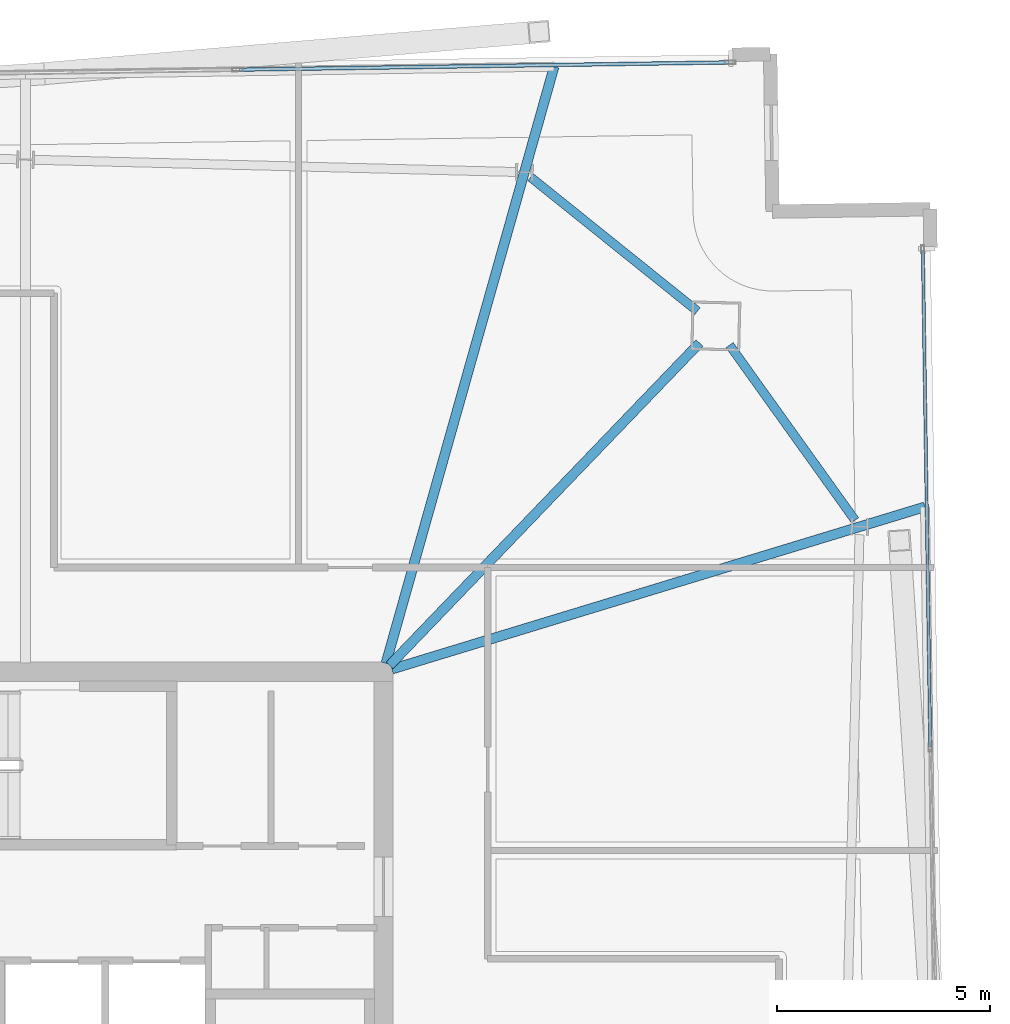
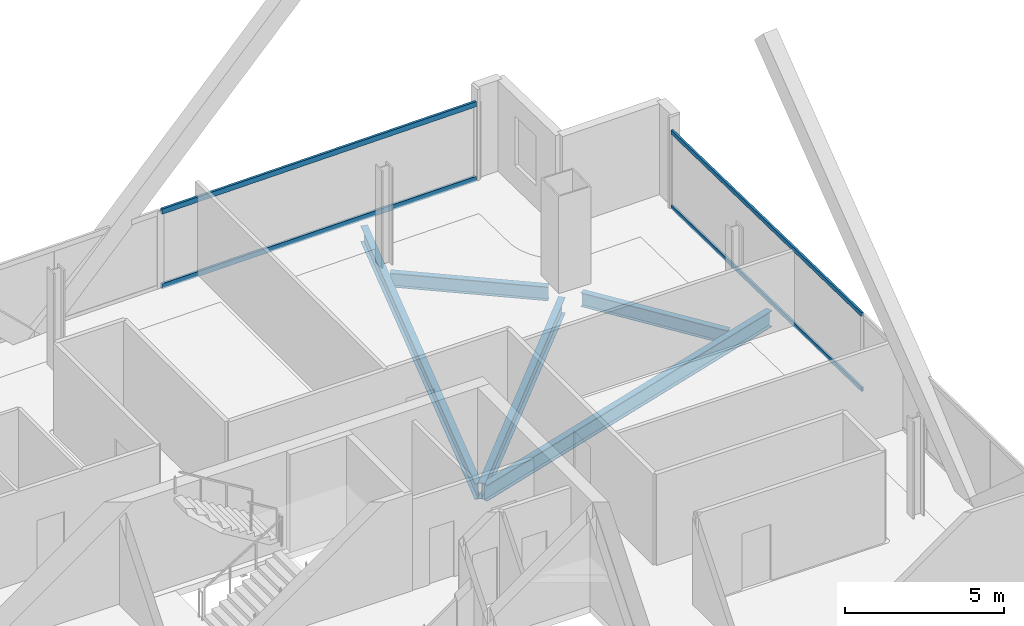
# One storey, part 17 of 25: 5 beams, 4 members, 2 elements without a shape of their own.
"""IFC4 building model written with IfcOpenShell, lengths in metres."""

import ifcopenshell
import ifcopenshell.guid

model = None  # the IFC model being written
_history = None  # IfcOwnerHistory: only IFC2X3 demands one
_inside = {}  # id of a spatial element -> (the spatial element, [elements in it])
_under = {}  # id of a project, library or spatial element -> (it, [spatial elements below it])
_declared = {}  # id of a project -> (the project, [libraries it declares])
_typed = {}  # id of a type object -> (the type object, [elements of that type])
_made_of = {}  # id of a material, layer set ... -> (it, [elements and type objects made of it])


def new_model(schema):
    """Start an empty IFC model of exactly this schema.

    Asked for "IFC4X3", IfcOpenShell would pick the latest addendum, in which some entities
    have other attributes; the version numbers below select the first issue.
    IFC2X3 requires an IfcOwnerHistory on every rooted entity: one is made here for all.
    """
    global model, _history
    if schema == "IFC4X3":
        model = ifcopenshell.file(schema_version=(4, 3, 0, 0))
    else:
        model = ifcopenshell.file(schema=schema)
    _inside.clear()
    _under.clear()
    _declared.clear()
    _typed.clear()
    _made_of.clear()
    _history = None
    if model.schema == "IFC2X3":
        org = make("IfcOrganization", Name="unknown")
        user = make(
            "IfcPersonAndOrganization",
            ThePerson=make("IfcPerson", FamilyName="unknown"),
            TheOrganization=org,
        )
        app = make(
            "IfcApplication",
            ApplicationDeveloper=org,
            Version="unknown",
            ApplicationFullName="unknown",
            ApplicationIdentifier="unknown",
        )
        _history = make(
            "IfcOwnerHistory",
            OwningUser=user,
            OwningApplication=app,
            ChangeAction="ADDED",
            CreationDate=0,
        )
    return model


def make(cls, **values):
    """One entity of the class cls with the attributes given. An attribute that is None is left unset."""
    return model.create_entity(
        cls, **{name: value for name, value in values.items() if value is not None}
    )


def rooted(cls, **values):
    """An entity with a GlobalId (a new one), such as an element, a storey or a relation."""
    return make(cls, GlobalId=ifcopenshell.guid.new(), OwnerHistory=_history, **values)


def si_unit(unit_type, name, prefix=None):
    """IfcSIUnit, for example si_unit("LENGTHUNIT", "METRE", prefix="MILLI")."""
    return make("IfcSIUnit", UnitType=unit_type, Prefix=prefix, Name=name)


def assignment(units):
    """IfcUnitAssignment: the units of a project."""
    return None if units is None else make("IfcUnitAssignment", Units=units)


def point(xyz):
    """IfcCartesianPoint."""
    return None if xyz is None else make("IfcCartesianPoint", Coordinates=xyz)


def direction(xyz):
    """IfcDirection."""
    return None if xyz is None else make("IfcDirection", DirectionRatios=xyz)


def frame(location, z_axis=None, x_axis=None):
    """IfcAxis2Placement3D, a coordinate frame: its origin and axes. An axis left out is left unset."""
    return make(
        "IfcAxis2Placement3D",
        Location=point(location),
        Axis=direction(z_axis),
        RefDirection=direction(x_axis),
    )


def frame_2d(location, x_axis=None):
    """IfcAxis2Placement2D, a coordinate frame in the plane: its origin and x axis."""
    return make(
        "IfcAxis2Placement2D", Location=point(location), RefDirection=direction(x_axis)
    )


def origin():
    """The frame at (0, 0, 0) with its axes left unset."""
    return frame((0.0, 0.0, 0.0))


def origin_2d():
    """The frame at (0, 0) in the plane with its x axis left unset."""
    return frame_2d((0.0, 0.0))


def place(relative_to, where):
    """IfcLocalPlacement: puts the frame where relative to a parent placement (None: the world)."""
    return make(
        "IfcLocalPlacement", PlacementRelTo=relative_to, RelativePlacement=where
    )


def context(
    kind, dimensions, precision=None, world=None, true_north=None, identifier=None
):
    """IfcGeometricRepresentationContext, for example the 3D "Model" context."""
    return make(
        "IfcGeometricRepresentationContext",
        ContextIdentifier=identifier,
        ContextType=kind,
        CoordinateSpaceDimension=dimensions,
        Precision=precision,
        WorldCoordinateSystem=world,
        TrueNorth=true_north,
    )


def subcontext(parent, identifier, kind, view, scale=None):
    """IfcGeometricRepresentationSubContext, for example "Body" below "Model"."""
    return make(
        "IfcGeometricRepresentationSubContext",
        ContextIdentifier=identifier,
        ContextType=kind,
        ParentContext=parent,
        TargetScale=scale,
        TargetView=view,
    )


def project(units=None, contexts=None):
    """IfcProject with its units and contexts."""
    return rooted(
        "IfcProject",
        Name="project",
        RepresentationContexts=contexts,
        UnitsInContext=assignment(units),
    )


def spatial(cls, under=None, at=None, **own):
    """A site, building, storey or space (cls), placed at a placement, below another one or the project."""
    s = rooted(cls, ObjectPlacement=at, **own)
    if under is not None:
        _under.setdefault(under.id(), (under, []))[1].append(s)
    return s


def profile(cls, at=None, kind="AREA", **sizes):
    """A parametric profile (cls). Its sizes go by their IFC names, for example OverallWidth=200.0."""
    return make(cls, ProfileType=kind, Position=at, **sizes)


def hollow_rectangle(**sizes):
    """IfcRectangleHollowProfileDef."""
    return profile("IfcRectangleHollowProfileDef", **sizes)


def i_section(**sizes):
    """IfcIShapeProfileDef."""
    return profile("IfcIShapeProfileDef", **sizes)


def extrude(swept, where, along, depth):
    """IfcExtrudedAreaSolid: the profile swept, set in the frame where, extruded along a direction by depth."""
    return make(
        "IfcExtrudedAreaSolid",
        SweptArea=swept,
        Position=where,
        ExtrudedDirection=direction(along),
        Depth=depth,
    )


def shape(context_of_items, identifier, shape_type, items):
    """IfcShapeRepresentation: the items that make up one representation, for example the "Body"."""
    return make(
        "IfcShapeRepresentation",
        ContextOfItems=context_of_items,
        RepresentationIdentifier=identifier,
        RepresentationType=shape_type,
        Items=items,
    )


def material(Name=None, Category=None):
    """IfcMaterial."""
    return make("IfcMaterial", Name=Name, Category=Category)


def material_profile(
    of_material, cross_section, Name=None, Category=None, Priority=None
):
    """IfcMaterialProfile: a cross section and its material."""
    return make(
        "IfcMaterialProfile",
        Name=Name,
        Material=of_material,
        Profile=cross_section,
        Priority=Priority,
        Category=Category,
    )


def profile_set(profiles, Name=None, composite=None):
    """IfcMaterialProfileSet."""
    return make(
        "IfcMaterialProfileSet",
        Name=Name,
        MaterialProfiles=profiles,
        CompositeProfile=composite,
    )


def made_of(thing, what):
    """Note that an element or type object is made of a material, layer set ...; save() writes the relation."""
    if what is not None:
        _made_of.setdefault(what.id(), (what, []))[1].append(thing)
    return thing


def type_object(cls, material=None, **own):
    """A type object (cls), such as IfcWallType, which elements share."""
    return made_of(rooted(cls, **own), material)


def element(
    cls,
    number,
    at=None,
    inside=None,
    cuts=None,
    type_object=None,
    material=None,
    context=None,
    identifier="Body",
    shape_type=None,
    held_by="IfcProductDefinitionShape",
    body=None,
    shapes=None,
    **own,
):
    """One element of the class cls, such as IfcWall. Its Tag is "e" and its number.

    at: its placement. inside: the storey or other place that contains it. cuts: it is an
    opening in that element (IfcRelVoidsElement). A single representation is given by context,
    identifier, shape_type and body (its items); several are given by shapes. held_by: the class
    of the entity that holds the representations. save() writes the other relations.
    """
    e = rooted(cls, Tag="e%d" % number, ObjectPlacement=at, **own)
    if body is not None:
        shapes = [shape(context, identifier, shape_type, body)]
    if shapes is not None:
        e.Representation = make(held_by, Representations=shapes)
    if inside is not None:
        _inside.setdefault(inside.id(), (inside, []))[1].append(e)
    if cuts is not None:
        rooted(
            "IfcRelVoidsElement", RelatingBuildingElement=cuts, RelatedOpeningElement=e
        )
    if type_object is not None:
        _typed.setdefault(type_object.id(), (type_object, []))[1].append(e)
    return made_of(e, material)


def aggregate(whole, parts):
    """IfcRelAggregates: a whole, such as a stair, and the parts it consists of."""
    return rooted("IfcRelAggregates", RelatingObject=whole, RelatedObjects=parts)


def save(model, path):
    """Write the relations noted so far, then the file.

    IfcRelAggregates (storeys below a building ...), IfcRelContainedInSpatialStructure (elements
    in a storey), IfcRelDefinesByType, IfcRelAssociatesMaterial and IfcRelDeclares: one each for
    every whole, place, type object, material and project.
    """
    for whole, parts in _under.values():
        aggregate(whole, parts)
    for where, things in _inside.values():
        rooted(
            "IfcRelContainedInSpatialStructure",
            RelatedElements=things,
            RelatingStructure=where,
        )
    for kind, things in _typed.values():
        rooted("IfcRelDefinesByType", RelatedObjects=things, RelatingType=kind)
    for what, things in _made_of.values():
        rooted("IfcRelAssociatesMaterial", RelatedObjects=things, RelatingMaterial=what)
    for by, libraries in _declared.values():
        rooted("IfcRelDeclares", RelatingContext=by, RelatedDefinitions=libraries)
    model.write(path)


model = new_model("IFC4")

# Units and contexts
model_context = context("Model", 3, precision=1e-05, world=origin(), true_north=direction((0.0, 1.0)))
body_context = subcontext(model_context, "Body", "Model", "MODEL_VIEW")
ifc_project = project(units=[si_unit("LENGTHUNIT", "METRE"), si_unit("AREAUNIT", "SQUARE_METRE"), si_unit("VOLUMEUNIT", "CUBIC_METRE"), si_unit("PLANEANGLEUNIT", "RADIAN"), si_unit("MASSUNIT", "GRAM", prefix="KILO")], contexts=[model_context])

# Site, building, storey
site_placement = place(None, origin())
site = spatial("IfcSite", under=ifc_project, at=site_placement, CompositionType="ELEMENT")
building_placement = place(site_placement, origin())
building = spatial("IfcBuilding", under=site, at=building_placement, Name="Haldenkirk Collegiate Tower", CompositionType="ELEMENT")
storey_placement = place(building_placement, frame((0.0, 0.0, 332.699951171875)))
storey = spatial("IfcBuildingStorey", under=building, at=storey_placement, Name="L84", CompositionType="ELEMENT", Elevation=332.699951171875)

# Beams
ifc_material_1 = material(Name="Steel ASTM A992 Grade 50", Category="steel")
ifc_material_profile_1 = material_profile(ifc_material_1, i_section(OverallWidth=0.22998046875, OverallDepth=0.616943359375, WebThickness=0.01318359375, FlangeThickness=0.022216796875, at=origin_2d()), Name="W24X94")
ifc_profile_set_1 = profile_set([ifc_material_profile_1], Name="Steel ASTM A992 Grade 50")
beam_type_1 = type_object("IfcBeamType", Name="BM-GIRDER-W24X94", PredefinedType="BEAM", material=ifc_profile_set_1)
beam_1_placement = place(storey_placement, frame((52.428955078125, 41.7294921875, -0.568359375), z_axis=(-0.692944915375, -0.720990529935, 0.0), x_axis=(0.720990529935, -0.692944915375, 0.0)))
element("IfcBeam", 1, at=beam_1_placement, inside=storey, type_object=beam_type_1, Name="L84 primary floor girder 02", PredefinedType="BEAM", context=body_context, shape_type="SweptSolid", body=[
    extrude(i_section(OverallWidth=0.22998046875, OverallDepth=0.616943359375, WebThickness=0.01318359375, FlangeThickness=0.022216796875, at=origin_2d()), origin(), (0.0, 0.0, 1.0), 10.515869140625),
])
beam_2_placement = place(storey_placement, frame((57.731201171875, 37.876220703125, -0.568359375), z_axis=(-0.95664499279, -0.291256515412, 0.0), x_axis=(0.291256515412, -0.95664499279, 0.0)))
element("IfcBeam", 2, at=beam_2_placement, inside=storey, type_object=beam_type_1, Name="L84 primary floor girder 07", PredefinedType="BEAM", context=body_context, shape_type="SweptSolid", body=[
    extrude(i_section(OverallWidth=0.22998046875, OverallDepth=0.616943359375, WebThickness=0.01318359375, FlangeThickness=0.022216796875, at=origin_2d()), origin(), (0.0, 0.0, 1.0), 13.103271484375),
])
beam_3_placement = place(storey_placement, frame((49.010986328125, 48.2255859375, -0.568359375), z_axis=(-0.271372239912, -0.962474471041, 0.0), x_axis=(0.962474471041, -0.271372239912, 0.0)))
element("IfcBeam", 3, at=beam_3_placement, inside=storey, type_object=beam_type_1, Name="L84 primary floor girder 08", PredefinedType="BEAM", context=body_context, shape_type="SweptSolid", body=[
    extrude(i_section(OverallWidth=0.22998046875, OverallDepth=0.616943359375, WebThickness=0.01318359375, FlangeThickness=0.022216796875, at=origin_2d()), origin(), (0.0, 0.0, 1.0), 14.5751953125),
])
ifc_material_profile_2 = material_profile(ifc_material_1, i_section(OverallWidth=0.2099609375, OverallDepth=0.537109375, WebThickness=0.010986328125, FlangeThickness=0.017333984375, at=origin_2d()), Name="W21X68")
ifc_profile_set_2 = profile_set([ifc_material_profile_2], Name="Steel ASTM A992 Grade 50")
beam_type_2 = type_object("IfcBeamType", Name="BM-SPANDREL-W21X68", PredefinedType="SPANDREL", material=ifc_profile_set_2)
beam_4_placement = place(storey_placement, frame((56.085693359375, 37.561279296875, -0.528564453125), z_axis=(-0.582300220922, 0.812973832737, 0.0), x_axis=(-0.812973832737, -0.582300220922, 0.0)))
element("IfcBeam", 4, at=beam_4_placement, inside=storey, type_object=beam_type_2, Name="L84 perimeter spandrel beam 04", PredefinedType="SPANDREL", context=body_context, shape_type="SweptSolid", body=[
    extrude(i_section(OverallWidth=0.2099609375, OverallDepth=0.537109375, WebThickness=0.010986328125, FlangeThickness=0.017333984375, at=origin_2d()), origin(), (0.0, 0.0, 1.0), 5.064453125),
])
beam_5_placement = place(storey_placement, frame((52.380859375, 42.477294921875, -0.528564453125), z_axis=(-0.779721728928, 0.626126205678, 0.0), x_axis=(-0.626126205678, -0.779721728928, 0.0)))
element("IfcBeam", 5, at=beam_5_placement, inside=storey, type_object=beam_type_2, Name="L84 perimeter spandrel beam 05", PredefinedType="SPANDREL", context=body_context, shape_type="SweptSolid", body=[
    extrude(i_section(OverallWidth=0.2099609375, OverallDepth=0.537109375, WebThickness=0.010986328125, FlangeThickness=0.017333984375, at=origin_2d()), origin(), (0.0, 0.0, 1.0), 5.03076171875),
])

# Curtain wall, members
ifc_material_2 = material(Name="Anodised architectural bronze aluminium", Category="aluminium")
curtain_wall_type_1 = type_object("IfcCurtainWallType", Name="CW-SYS2-CONCAVE", PredefinedType="USERDEFINED", material=ifc_material_2)
curtain_wall_1_placement = place(storey_placement, origin())
curtain_wall_1 = element("IfcCurtainWall", 6, at=curtain_wall_1_placement, inside=storey, type_object=curtain_wall_type_1, Name="L84 South concave recessed bronze-anodised curtain wall", ObjectType="UNITISED CURTAIN WALL", PredefinedType="USERDEFINED")
ifc_material_profile_3 = material_profile(ifc_material_2, hollow_rectangle(XDim=0.074951171875, YDim=0.159912109375, WallThickness=0.0048828125, at=origin_2d()), Name="CW-TRN-02")
ifc_profile_set_3 = profile_set([ifc_material_profile_3], Name="Anodised architectural bronze aluminium")
member_type_1 = type_object("IfcMemberType", Name="CW-TRN-02", PredefinedType="USERDEFINED", material=ifc_profile_set_3)
member_1_placement = place(storey_placement, frame((57.681884765625, 43.898681640625, 0.03759765625), z_axis=(0.014831806451, -0.999890002709, 0.0), x_axis=(0.999890002709, 0.014831806451, 0.0)))
member_1 = element("IfcMember", 7, at=member_1_placement, type_object=member_type_1, Name="CW-02 transom 1.1", ObjectType="TRANSOM", PredefinedType="USERDEFINED", context=body_context, shape_type="SweptSolid", body=[
    extrude(hollow_rectangle(XDim=0.074951171875, YDim=0.159912109375, WallThickness=0.0048828125, at=origin_2d()), origin(), (0.0, 0.0, 1.0), 11.654052734375),
])
member_2_placement = place(storey_placement, frame((57.681884765625, 43.898681640625, 2.91064453125), z_axis=(0.014831806451, -0.999890002709, 0.0), x_axis=(0.999890002709, 0.014831806451, 0.0)))
member_2 = element("IfcMember", 8, at=member_2_placement, type_object=member_type_1, Name="CW-02 transom 1.2", ObjectType="TRANSOM", PredefinedType="USERDEFINED", context=body_context, shape_type="SweptSolid", body=[
    extrude(hollow_rectangle(XDim=0.074951171875, YDim=0.159912109375, WallThickness=0.0048828125, at=origin_2d()), origin(), (0.0, 0.0, 1.0), 11.654052734375),
])
aggregate(curtain_wall_1, [member_1, member_2])

curtain_wall_type_2 = type_object("IfcCurtainWallType", Name="CW-SYS1B-CONVEX-HI", PredefinedType="USERDEFINED", material=ifc_material_2)
curtain_wall_2_placement = place(storey_placement, origin())
curtain_wall_2 = element("IfcCurtainWall", 9, at=curtain_wall_2_placement, inside=storey, type_object=curtain_wall_type_2, Name="L84 Upper tower high-wind convex bronze unitised curtain wall", ObjectType="UNITISED CURTAIN WALL", PredefinedType="USERDEFINED")
ifc_material_profile_4 = material_profile(ifc_material_2, hollow_rectangle(XDim=0.0849609375, YDim=0.199951171875, WallThickness=0.0048828125, at=origin_2d()), Name="CW-TRN-1B")
ifc_profile_set_4 = profile_set([ifc_material_profile_4], Name="Anodised architectural bronze aluminium")
member_type_2 = type_object("IfcMemberType", Name="CW-TRN-1B", PredefinedType="USERDEFINED", material=ifc_profile_set_4)
member_3_placement = place(storey_placement, frame((41.614501953125, 48.15576171875, 0.04248046875), z_axis=(0.999890152849, 0.01482168125, 0.0), x_axis=(-0.01482168125, 0.999890152849, 0.0)))
member_3 = element("IfcMember", 10, at=member_3_placement, type_object=member_type_2, Name="CW-1B transom 3.1", ObjectType="TRANSOM", PredefinedType="USERDEFINED", context=body_context, shape_type="SweptSolid", body=[
    extrude(hollow_rectangle(XDim=0.0849609375, YDim=0.199951171875, WallThickness=0.0048828125, at=origin_2d()), origin(), (0.0, 0.0, 1.0), 11.497314453125),
])
member_4_placement = place(storey_placement, frame((41.614501953125, 48.15576171875, 2.905517578125), z_axis=(0.999890152849, 0.01482168125, 0.0), x_axis=(-0.01482168125, 0.999890152849, 0.0)))
member_4 = element("IfcMember", 11, at=member_4_placement, type_object=member_type_2, Name="CW-1B transom 3.2", ObjectType="TRANSOM", PredefinedType="USERDEFINED", context=body_context, shape_type="SweptSolid", body=[
    extrude(hollow_rectangle(XDim=0.0849609375, YDim=0.199951171875, WallThickness=0.0048828125, at=origin_2d()), origin(), (0.0, 0.0, 1.0), 11.497314453125),
])
aggregate(curtain_wall_2, [member_3, member_4])

save(model, "model.ifc")
